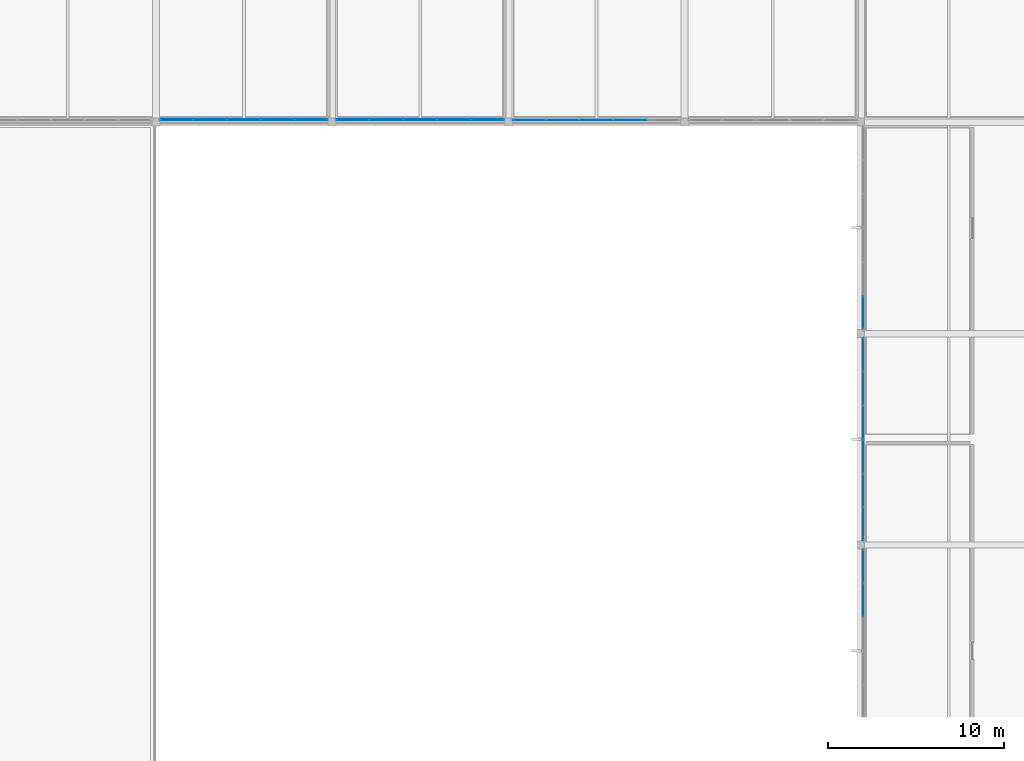
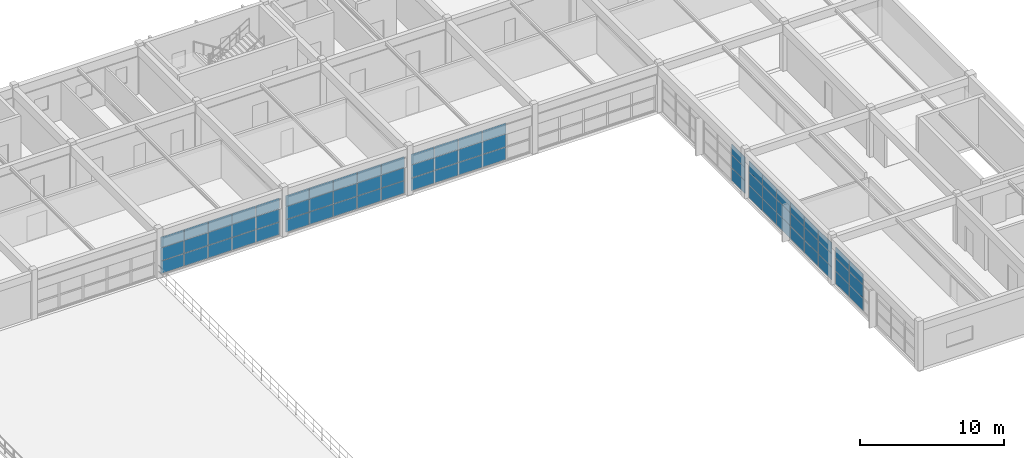
# One storey, part 11 of 21: 69 plates, 6 elements without a shape of their own.
"""IFC4 building model written with IfcOpenShell, lengths in metres."""

from ifc_helpers import new_model, si_unit, direction, frame, origin, origin_2d, place, context, subcontext, project, spatial, rectangle, extrude, material, layer, layer_set, type_object, element, aggregate, save


model = new_model("IFC4")

# Units and contexts
model_context = context("Model", 3, precision=1e-05, world=origin(), true_north=direction((0.0, 1.0)))
body_context = subcontext(model_context, "Body", "Model", "MODEL_VIEW")
ifc_project = project(units=[si_unit("LENGTHUNIT", "METRE"), si_unit("AREAUNIT", "SQUARE_METRE"), si_unit("VOLUMEUNIT", "CUBIC_METRE"), si_unit("PLANEANGLEUNIT", "RADIAN"), si_unit("MASSUNIT", "GRAM", prefix="KILO")], contexts=[model_context])

# Site, building, storey
site_placement = place(None, origin())
site = spatial("IfcSite", under=ifc_project, at=site_placement, CompositionType="ELEMENT")
building_placement = place(site_placement, origin())
building = spatial("IfcBuilding", under=site, at=building_placement, Name="Kivolera Central Railway Station", CompositionType="ELEMENT")
storey_placement = place(building_placement, frame((0.0, 0.0, 22.800048828125)))
storey = spatial("IfcBuildingStorey", under=building, at=storey_placement, Name="L05", CompositionType="ELEMENT", Elevation=22.800048828125)

# Curtain wall, plates
ifc_material_1 = material(Name="Anodised aluminium", Category="aluminium")
ifc_layer_1 = layer(ifc_material_1, 0.179931640625, Name="Anodised aluminium")
ifc_layer_set_1 = layer_set([ifc_layer_1], Name="Anodised aluminium")
curtain_wall_type_1 = type_object("IfcCurtainWallType", Name="CW-SYS-34", PredefinedType="NOTDEFINED", material=ifc_layer_set_1)
curtain_wall_1_placement = place(storey_placement, origin())
curtain_wall_1 = element("IfcCurtainWall", 1, at=curtain_wall_1_placement, inside=storey, type_object=curtain_wall_type_1, Name="L05 Curtain Wall CW-L05-CRTN-158", PredefinedType="NOTDEFINED")
ifc_material_2 = material(Name="Double low-E laminated glass", Category="glass")
ifc_layer_2 = layer(ifc_material_2, 0.02587890625, Name="Double low-E laminated glass")
ifc_layer_set_2 = layer_set([ifc_layer_2], Name="Double low-E laminated glass")
plate_type_1 = type_object("IfcPlateType", Name="CWP-GLZ-1", PredefinedType="CURTAIN_PANEL", material=ifc_layer_set_2)
plate_1_placement = place(storey_placement, frame((164.912109375, 114.135009765625, 0.0478515625), z_axis=(0.0, 0.0, 1.0), x_axis=(-1.0, 0.0, 0.0)))
plate_1 = element("IfcPlate", 2, at=plate_1_placement, type_object=plate_type_1, Name="CW-34 panel 2.1", PredefinedType="CURTAIN_PANEL", context=body_context, shape_type="SweptSolid", body=[
    extrude(rectangle(XDim=1.8759765625, YDim=0.02587890625, at=origin_2d()), origin(), (0.0, 0.0, 1.0), 1.0498046875),
])
plate_2_placement = place(storey_placement, frame((164.912109375, 114.135009765625, 1.1337890625), z_axis=(0.0, 0.0, 1.0), x_axis=(-1.0, 0.0, 0.0)))
plate_2 = element("IfcPlate", 3, at=plate_2_placement, type_object=plate_type_1, Name="CW-34 panel 2.2", PredefinedType="CURTAIN_PANEL", context=body_context, shape_type="SweptSolid", body=[
    extrude(rectangle(XDim=1.8759765625, YDim=0.02587890625, at=origin_2d()), origin(), (0.0, 0.0, 1.0), 1.079833984375),
])
plate_3_placement = place(storey_placement, frame((164.912109375, 114.135009765625, 2.24951171875), z_axis=(0.0, 0.0, 1.0), x_axis=(-1.0, 0.0, 0.0)))
plate_3 = element("IfcPlate", 4, at=plate_3_placement, type_object=plate_type_1, Name="CW-34 panel 2.3", PredefinedType="CURTAIN_PANEL", context=body_context, shape_type="SweptSolid", body=[
    extrude(rectangle(XDim=1.8759765625, YDim=0.02587890625, at=origin_2d()), origin(), (0.0, 0.0, 1.0), 0.890380859375),
])
plate_4_placement = place(storey_placement, frame((163.0, 114.135009765625, 0.0478515625), z_axis=(0.0, 0.0, 1.0), x_axis=(-1.0, 0.0, 0.0)))
plate_4 = element("IfcPlate", 5, at=plate_4_placement, type_object=plate_type_1, Name="CW-34 panel 3.1", PredefinedType="CURTAIN_PANEL", context=body_context, shape_type="SweptSolid", body=[
    extrude(rectangle(XDim=1.8759765625, YDim=0.02587890625, at=origin_2d()), origin(), (0.0, 0.0, 1.0), 1.0498046875),
])
plate_5_placement = place(storey_placement, frame((163.0, 114.135009765625, 1.1337890625), z_axis=(0.0, 0.0, 1.0), x_axis=(-1.0, 0.0, 0.0)))
plate_5 = element("IfcPlate", 6, at=plate_5_placement, type_object=plate_type_1, Name="CW-34 panel 3.2", PredefinedType="CURTAIN_PANEL", context=body_context, shape_type="SweptSolid", body=[
    extrude(rectangle(XDim=1.8759765625, YDim=0.02587890625, at=origin_2d()), origin(), (0.0, 0.0, 1.0), 1.079833984375),
])
plate_6_placement = place(storey_placement, frame((163.0, 114.135009765625, 2.24951171875), z_axis=(0.0, 0.0, 1.0), x_axis=(-1.0, 0.0, 0.0)))
plate_6 = element("IfcPlate", 7, at=plate_6_placement, type_object=plate_type_1, Name="CW-34 panel 3.3", PredefinedType="CURTAIN_PANEL", context=body_context, shape_type="SweptSolid", body=[
    extrude(rectangle(XDim=1.8759765625, YDim=0.02587890625, at=origin_2d()), origin(), (0.0, 0.0, 1.0), 0.890380859375),
])
plate_7_placement = place(storey_placement, frame((161.087890625, 114.135009765625, 0.0478515625), z_axis=(0.0, 0.0, 1.0), x_axis=(-1.0, 0.0, 0.0)))
plate_7 = element("IfcPlate", 8, at=plate_7_placement, type_object=plate_type_1, Name="CW-34 panel 4.1", PredefinedType="CURTAIN_PANEL", context=body_context, shape_type="SweptSolid", body=[
    extrude(rectangle(XDim=1.8759765625, YDim=0.02587890625, at=origin_2d()), origin(), (0.0, 0.0, 1.0), 1.0498046875),
])
plate_8_placement = place(storey_placement, frame((161.087890625, 114.135009765625, 1.1337890625), z_axis=(0.0, 0.0, 1.0), x_axis=(-1.0, 0.0, 0.0)))
plate_8 = element("IfcPlate", 9, at=plate_8_placement, type_object=plate_type_1, Name="CW-34 panel 4.2", PredefinedType="CURTAIN_PANEL", context=body_context, shape_type="SweptSolid", body=[
    extrude(rectangle(XDim=1.8759765625, YDim=0.02587890625, at=origin_2d()), origin(), (0.0, 0.0, 1.0), 1.079833984375),
])
plate_9_placement = place(storey_placement, frame((161.087890625, 114.135009765625, 2.24951171875), z_axis=(0.0, 0.0, 1.0), x_axis=(-1.0, 0.0, 0.0)))
plate_9 = element("IfcPlate", 10, at=plate_9_placement, type_object=plate_type_1, Name="CW-34 panel 4.3", PredefinedType="CURTAIN_PANEL", context=body_context, shape_type="SweptSolid", body=[
    extrude(rectangle(XDim=1.8759765625, YDim=0.02587890625, at=origin_2d()), origin(), (0.0, 0.0, 1.0), 0.890380859375),
])
plate_10_placement = place(storey_placement, frame((159.19091796875, 114.135009765625, 0.0478515625), z_axis=(0.0, 0.0, 1.0), x_axis=(-1.0, 0.0, 0.0)))
plate_10 = element("IfcPlate", 11, at=plate_10_placement, type_object=plate_type_1, Name="CW-34 panel 5.1", PredefinedType="CURTAIN_PANEL", context=body_context, shape_type="SweptSolid", body=[
    extrude(rectangle(XDim=1.845947265625, YDim=0.02587890625, at=origin_2d()), origin(), (0.0, 0.0, 1.0), 1.0498046875),
])
plate_11_placement = place(storey_placement, frame((159.19091796875, 114.135009765625, 1.1337890625), z_axis=(0.0, 0.0, 1.0), x_axis=(-1.0, 0.0, 0.0)))
plate_11 = element("IfcPlate", 12, at=plate_11_placement, type_object=plate_type_1, Name="CW-34 panel 5.2", PredefinedType="CURTAIN_PANEL", context=body_context, shape_type="SweptSolid", body=[
    extrude(rectangle(XDim=1.845947265625, YDim=0.02587890625, at=origin_2d()), origin(), (0.0, 0.0, 1.0), 1.079833984375),
])
plate_12_placement = place(storey_placement, frame((159.19091796875, 114.135009765625, 2.24951171875), z_axis=(0.0, 0.0, 1.0), x_axis=(-1.0, 0.0, 0.0)))
plate_12 = element("IfcPlate", 13, at=plate_12_placement, type_object=plate_type_1, Name="CW-34 panel 5.3", PredefinedType="CURTAIN_PANEL", context=body_context, shape_type="SweptSolid", body=[
    extrude(rectangle(XDim=1.845947265625, YDim=0.02587890625, at=origin_2d()), origin(), (0.0, 0.0, 1.0), 0.890380859375),
])
aggregate(curtain_wall_1, [plate_1, plate_2, plate_3, plate_4, plate_5, plate_6, plate_7, plate_8, plate_9, plate_10, plate_11, plate_12])

ifc_layer_3 = layer(ifc_material_1, 0.179931640625, Name="Anodised aluminium")
ifc_layer_set_3 = layer_set([ifc_layer_3], Name="Anodised aluminium")
curtain_wall_type_2 = type_object("IfcCurtainWallType", Name="CW-SYS-35", PredefinedType="NOTDEFINED", material=ifc_layer_set_3)
curtain_wall_2_placement = place(storey_placement, origin())
curtain_wall_2 = element("IfcCurtainWall", 14, at=curtain_wall_2_placement, inside=storey, type_object=curtain_wall_type_2, Name="L05 Curtain Wall CW-L05-CRTE-G", PredefinedType="NOTDEFINED")
ifc_layer_4 = layer(ifc_material_2, 0.030029296875, Name="Double low-E laminated glass")
ifc_layer_set_4 = layer_set([ifc_layer_4], Name="Double low-E laminated glass")
plate_type_2 = type_object("IfcPlateType", Name="CWP-GLZ-2", PredefinedType="CURTAIN_PANEL", material=ifc_layer_set_4)
plate_13_placement = place(storey_placement, frame((178.135009765625, 86.889892578125, 0.0478515625), z_axis=(0.0, 0.0, 1.0), x_axis=(0.0, 1.0, 0.0)))
plate_13 = element("IfcPlate", 15, at=plate_13_placement, type_object=plate_type_2, Name="CW-35 panel 5.1", PredefinedType="CURTAIN_PANEL", context=body_context, shape_type="SweptSolid", body=[
    extrude(rectangle(XDim=1.890625, YDim=0.030029296875, at=origin_2d()), origin(), (0.0, 0.0, 1.0), 1.0498046875),
])
plate_14_placement = place(storey_placement, frame((178.135009765625, 86.889892578125, 1.1337890625), z_axis=(0.0, 0.0, 1.0), x_axis=(0.0, 1.0, 0.0)))
plate_14 = element("IfcPlate", 16, at=plate_14_placement, type_object=plate_type_2, Name="CW-35 panel 5.2", PredefinedType="CURTAIN_PANEL", context=body_context, shape_type="SweptSolid", body=[
    extrude(rectangle(XDim=1.890625, YDim=0.030029296875, at=origin_2d()), origin(), (0.0, 0.0, 1.0), 1.079833984375),
])
plate_15_placement = place(storey_placement, frame((178.135009765625, 86.889892578125, 2.24951171875), z_axis=(0.0, 0.0, 1.0), x_axis=(0.0, 1.0, 0.0)))
plate_15 = element("IfcPlate", 17, at=plate_15_placement, type_object=plate_type_2, Name="CW-35 panel 5.3", PredefinedType="CURTAIN_PANEL", context=body_context, shape_type="SweptSolid", body=[
    extrude(rectangle(XDim=1.890625, YDim=0.030029296875, at=origin_2d()), origin(), (0.0, 0.0, 1.0), 0.890380859375),
])
plate_16_placement = place(storey_placement, frame((178.135009765625, 88.8017578125, 0.0478515625), z_axis=(0.0, 0.0, 1.0), x_axis=(0.0, 1.0, 0.0)))
plate_16 = element("IfcPlate", 18, at=plate_16_placement, type_object=plate_type_2, Name="CW-35 panel 6.1", PredefinedType="CURTAIN_PANEL", context=body_context, shape_type="SweptSolid", body=[
    extrude(rectangle(XDim=1.860595703125, YDim=0.030029296875, at=origin_2d()), origin(), (0.0, 0.0, 1.0), 1.0498046875),
])
plate_17_placement = place(storey_placement, frame((178.135009765625, 88.8017578125, 1.1337890625), z_axis=(0.0, 0.0, 1.0), x_axis=(0.0, 1.0, 0.0)))
plate_17 = element("IfcPlate", 19, at=plate_17_placement, type_object=plate_type_2, Name="CW-35 panel 6.2", PredefinedType="CURTAIN_PANEL", context=body_context, shape_type="SweptSolid", body=[
    extrude(rectangle(XDim=1.860595703125, YDim=0.030029296875, at=origin_2d()), origin(), (0.0, 0.0, 1.0), 1.079833984375),
])
plate_18_placement = place(storey_placement, frame((178.135009765625, 88.8017578125, 2.24951171875), z_axis=(0.0, 0.0, 1.0), x_axis=(0.0, 1.0, 0.0)))
plate_18 = element("IfcPlate", 20, at=plate_18_placement, type_object=plate_type_2, Name="CW-35 panel 6.3", PredefinedType="CURTAIN_PANEL", context=body_context, shape_type="SweptSolid", body=[
    extrude(rectangle(XDim=1.860595703125, YDim=0.030029296875, at=origin_2d()), origin(), (0.0, 0.0, 1.0), 0.890380859375),
])
aggregate(curtain_wall_2, [plate_13, plate_14, plate_15, plate_16, plate_17, plate_18])

curtain_wall_3_placement = place(storey_placement, origin())
curtain_wall_3 = element("IfcCurtainWall", 21, at=curtain_wall_3_placement, inside=storey, type_object=curtain_wall_type_2, Name="L05 Curtain Wall CW-L05-CRTE-H", PredefinedType="NOTDEFINED")
plate_19_placement = place(storey_placement, frame((178.135009765625, 91.1982421875, 0.0478515625), z_axis=(0.0, 0.0, 1.0), x_axis=(0.0, 1.0, 0.0)))
plate_19 = element("IfcPlate", 22, at=plate_19_placement, type_object=plate_type_2, Name="CW-35 panel 1.1", PredefinedType="CURTAIN_PANEL", context=body_context, shape_type="SweptSolid", body=[
    extrude(rectangle(XDim=1.860595703125, YDim=0.030029296875, at=origin_2d()), origin(), (0.0, 0.0, 1.0), 1.0498046875),
])
plate_20_placement = place(storey_placement, frame((178.135009765625, 91.1982421875, 1.1337890625), z_axis=(0.0, 0.0, 1.0), x_axis=(0.0, 1.0, 0.0)))
plate_20 = element("IfcPlate", 23, at=plate_20_placement, type_object=plate_type_2, Name="CW-35 panel 1.2", PredefinedType="CURTAIN_PANEL", context=body_context, shape_type="SweptSolid", body=[
    extrude(rectangle(XDim=1.860595703125, YDim=0.030029296875, at=origin_2d()), origin(), (0.0, 0.0, 1.0), 1.079833984375),
])
plate_21_placement = place(storey_placement, frame((178.135009765625, 91.1982421875, 2.24951171875), z_axis=(0.0, 0.0, 1.0), x_axis=(0.0, 1.0, 0.0)))
plate_21 = element("IfcPlate", 24, at=plate_21_placement, type_object=plate_type_2, Name="CW-35 panel 1.3", PredefinedType="CURTAIN_PANEL", context=body_context, shape_type="SweptSolid", body=[
    extrude(rectangle(XDim=1.860595703125, YDim=0.030029296875, at=origin_2d()), origin(), (0.0, 0.0, 1.0), 0.890380859375),
])
plate_22_placement = place(storey_placement, frame((178.135009765625, 93.110107421875, 0.0478515625), z_axis=(0.0, 0.0, 1.0), x_axis=(0.0, 1.0, 0.0)))
plate_22 = element("IfcPlate", 25, at=plate_22_placement, type_object=plate_type_2, Name="CW-35 panel 2.1", PredefinedType="CURTAIN_PANEL", context=body_context, shape_type="SweptSolid", body=[
    extrude(rectangle(XDim=1.890625, YDim=0.030029296875, at=origin_2d()), origin(), (0.0, 0.0, 1.0), 1.0498046875),
])
plate_23_placement = place(storey_placement, frame((178.135009765625, 93.110107421875, 1.1337890625), z_axis=(0.0, 0.0, 1.0), x_axis=(0.0, 1.0, 0.0)))
plate_23 = element("IfcPlate", 26, at=plate_23_placement, type_object=plate_type_2, Name="CW-35 panel 2.2", PredefinedType="CURTAIN_PANEL", context=body_context, shape_type="SweptSolid", body=[
    extrude(rectangle(XDim=1.890625, YDim=0.030029296875, at=origin_2d()), origin(), (0.0, 0.0, 1.0), 1.079833984375),
])
plate_24_placement = place(storey_placement, frame((178.135009765625, 93.110107421875, 2.24951171875), z_axis=(0.0, 0.0, 1.0), x_axis=(0.0, 1.0, 0.0)))
plate_24 = element("IfcPlate", 27, at=plate_24_placement, type_object=plate_type_2, Name="CW-35 panel 2.3", PredefinedType="CURTAIN_PANEL", context=body_context, shape_type="SweptSolid", body=[
    extrude(rectangle(XDim=1.890625, YDim=0.030029296875, at=origin_2d()), origin(), (0.0, 0.0, 1.0), 0.890380859375),
])
plate_25_placement = place(storey_placement, frame((178.135009765625, 95.03662109375, 0.0478515625), z_axis=(0.0, 0.0, 1.0), x_axis=(0.0, 1.0, 0.0)))
plate_25 = element("IfcPlate", 28, at=plate_25_placement, type_object=plate_type_2, Name="CW-35 panel 3.1", PredefinedType="CURTAIN_PANEL", context=body_context, shape_type="SweptSolid", body=[
    extrude(rectangle(XDim=1.890625, YDim=0.030029296875, at=origin_2d()), origin(), (0.0, 0.0, 1.0), 1.0498046875),
])
plate_26_placement = place(storey_placement, frame((178.135009765625, 95.03662109375, 1.1337890625), z_axis=(0.0, 0.0, 1.0), x_axis=(0.0, 1.0, 0.0)))
plate_26 = element("IfcPlate", 29, at=plate_26_placement, type_object=plate_type_2, Name="CW-35 panel 3.2", PredefinedType="CURTAIN_PANEL", context=body_context, shape_type="SweptSolid", body=[
    extrude(rectangle(XDim=1.890625, YDim=0.030029296875, at=origin_2d()), origin(), (0.0, 0.0, 1.0), 1.079833984375),
])
plate_27_placement = place(storey_placement, frame((178.135009765625, 95.03662109375, 2.24951171875), z_axis=(0.0, 0.0, 1.0), x_axis=(0.0, 1.0, 0.0)))
plate_27 = element("IfcPlate", 30, at=plate_27_placement, type_object=plate_type_2, Name="CW-35 panel 3.3", PredefinedType="CURTAIN_PANEL", context=body_context, shape_type="SweptSolid", body=[
    extrude(rectangle(XDim=1.890625, YDim=0.030029296875, at=origin_2d()), origin(), (0.0, 0.0, 1.0), 0.890380859375),
])
plate_28_placement = place(storey_placement, frame((178.135009765625, 96.96337890625, 0.0478515625), z_axis=(0.0, 0.0, 1.0), x_axis=(0.0, 1.0, 0.0)))
plate_28 = element("IfcPlate", 31, at=plate_28_placement, type_object=plate_type_2, Name="CW-35 panel 4.1", PredefinedType="CURTAIN_PANEL", context=body_context, shape_type="SweptSolid", body=[
    extrude(rectangle(XDim=1.890625, YDim=0.030029296875, at=origin_2d()), origin(), (0.0, 0.0, 1.0), 1.0498046875),
])
plate_29_placement = place(storey_placement, frame((178.135009765625, 96.96337890625, 1.1337890625), z_axis=(0.0, 0.0, 1.0), x_axis=(0.0, 1.0, 0.0)))
plate_29 = element("IfcPlate", 32, at=plate_29_placement, type_object=plate_type_2, Name="CW-35 panel 4.2", PredefinedType="CURTAIN_PANEL", context=body_context, shape_type="SweptSolid", body=[
    extrude(rectangle(XDim=1.890625, YDim=0.030029296875, at=origin_2d()), origin(), (0.0, 0.0, 1.0), 1.079833984375),
])
plate_30_placement = place(storey_placement, frame((178.135009765625, 96.96337890625, 2.24951171875), z_axis=(0.0, 0.0, 1.0), x_axis=(0.0, 1.0, 0.0)))
plate_30 = element("IfcPlate", 33, at=plate_30_placement, type_object=plate_type_2, Name="CW-35 panel 4.3", PredefinedType="CURTAIN_PANEL", context=body_context, shape_type="SweptSolid", body=[
    extrude(rectangle(XDim=1.890625, YDim=0.030029296875, at=origin_2d()), origin(), (0.0, 0.0, 1.0), 0.890380859375),
])
plate_31_placement = place(storey_placement, frame((178.135009765625, 98.889892578125, 0.0478515625), z_axis=(0.0, 0.0, 1.0), x_axis=(0.0, 1.0, 0.0)))
plate_31 = element("IfcPlate", 34, at=plate_31_placement, type_object=plate_type_2, Name="CW-35 panel 5.1", PredefinedType="CURTAIN_PANEL", context=body_context, shape_type="SweptSolid", body=[
    extrude(rectangle(XDim=1.890625, YDim=0.030029296875, at=origin_2d()), origin(), (0.0, 0.0, 1.0), 1.0498046875),
])
plate_32_placement = place(storey_placement, frame((178.135009765625, 98.889892578125, 1.1337890625), z_axis=(0.0, 0.0, 1.0), x_axis=(0.0, 1.0, 0.0)))
plate_32 = element("IfcPlate", 35, at=plate_32_placement, type_object=plate_type_2, Name="CW-35 panel 5.2", PredefinedType="CURTAIN_PANEL", context=body_context, shape_type="SweptSolid", body=[
    extrude(rectangle(XDim=1.890625, YDim=0.030029296875, at=origin_2d()), origin(), (0.0, 0.0, 1.0), 1.079833984375),
])
plate_33_placement = place(storey_placement, frame((178.135009765625, 98.889892578125, 2.24951171875), z_axis=(0.0, 0.0, 1.0), x_axis=(0.0, 1.0, 0.0)))
plate_33 = element("IfcPlate", 36, at=plate_33_placement, type_object=plate_type_2, Name="CW-35 panel 5.3", PredefinedType="CURTAIN_PANEL", context=body_context, shape_type="SweptSolid", body=[
    extrude(rectangle(XDim=1.890625, YDim=0.030029296875, at=origin_2d()), origin(), (0.0, 0.0, 1.0), 0.890380859375),
])
plate_34_placement = place(storey_placement, frame((178.135009765625, 100.8017578125, 0.0478515625), z_axis=(0.0, 0.0, 1.0), x_axis=(0.0, 1.0, 0.0)))
plate_34 = element("IfcPlate", 37, at=plate_34_placement, type_object=plate_type_2, Name="CW-35 panel 6.1", PredefinedType="CURTAIN_PANEL", context=body_context, shape_type="SweptSolid", body=[
    extrude(rectangle(XDim=1.860595703125, YDim=0.030029296875, at=origin_2d()), origin(), (0.0, 0.0, 1.0), 1.0498046875),
])
plate_35_placement = place(storey_placement, frame((178.135009765625, 100.8017578125, 1.1337890625), z_axis=(0.0, 0.0, 1.0), x_axis=(0.0, 1.0, 0.0)))
plate_35 = element("IfcPlate", 38, at=plate_35_placement, type_object=plate_type_2, Name="CW-35 panel 6.2", PredefinedType="CURTAIN_PANEL", context=body_context, shape_type="SweptSolid", body=[
    extrude(rectangle(XDim=1.860595703125, YDim=0.030029296875, at=origin_2d()), origin(), (0.0, 0.0, 1.0), 1.079833984375),
])
plate_36_placement = place(storey_placement, frame((178.135009765625, 100.8017578125, 2.24951171875), z_axis=(0.0, 0.0, 1.0), x_axis=(0.0, 1.0, 0.0)))
plate_36 = element("IfcPlate", 39, at=plate_36_placement, type_object=plate_type_2, Name="CW-35 panel 6.3", PredefinedType="CURTAIN_PANEL", context=body_context, shape_type="SweptSolid", body=[
    extrude(rectangle(XDim=1.860595703125, YDim=0.030029296875, at=origin_2d()), origin(), (0.0, 0.0, 1.0), 0.890380859375),
])
aggregate(curtain_wall_3, [plate_19, plate_20, plate_21, plate_22, plate_23, plate_24, plate_25, plate_26, plate_27, plate_28, plate_29, plate_30, plate_31, plate_32, plate_33, plate_34, plate_35, plate_36])

curtain_wall_4_placement = place(storey_placement, origin())
curtain_wall_4 = element("IfcCurtainWall", 40, at=curtain_wall_4_placement, inside=storey, type_object=curtain_wall_type_2, Name="L05 Curtain Wall CW-L05-CRTE-J", PredefinedType="NOTDEFINED")
plate_37_placement = place(storey_placement, frame((178.135009765625, 103.1982421875, 0.0478515625), z_axis=(0.0, 0.0, 1.0), x_axis=(0.0, 1.0, 0.0)))
plate_37 = element("IfcPlate", 41, at=plate_37_placement, type_object=plate_type_2, Name="CW-35 panel 1.1", PredefinedType="CURTAIN_PANEL", context=body_context, shape_type="SweptSolid", body=[
    extrude(rectangle(XDim=1.860595703125, YDim=0.030029296875, at=origin_2d()), origin(), (0.0, 0.0, 1.0), 1.0498046875),
])
plate_38_placement = place(storey_placement, frame((178.135009765625, 103.1982421875, 1.1337890625), z_axis=(0.0, 0.0, 1.0), x_axis=(0.0, 1.0, 0.0)))
plate_38 = element("IfcPlate", 42, at=plate_38_placement, type_object=plate_type_2, Name="CW-35 panel 1.2", PredefinedType="CURTAIN_PANEL", context=body_context, shape_type="SweptSolid", body=[
    extrude(rectangle(XDim=1.860595703125, YDim=0.030029296875, at=origin_2d()), origin(), (0.0, 0.0, 1.0), 1.079833984375),
])
plate_39_placement = place(storey_placement, frame((178.135009765625, 103.1982421875, 2.24951171875), z_axis=(0.0, 0.0, 1.0), x_axis=(0.0, 1.0, 0.0)))
plate_39 = element("IfcPlate", 43, at=plate_39_placement, type_object=plate_type_2, Name="CW-35 panel 1.3", PredefinedType="CURTAIN_PANEL", context=body_context, shape_type="SweptSolid", body=[
    extrude(rectangle(XDim=1.860595703125, YDim=0.030029296875, at=origin_2d()), origin(), (0.0, 0.0, 1.0), 0.890380859375),
])
aggregate(curtain_wall_4, [plate_37, plate_38, plate_39])

curtain_wall_5_placement = place(storey_placement, origin())
curtain_wall_5 = element("IfcCurtainWall", 44, at=curtain_wall_5_placement, inside=storey, type_object=curtain_wall_type_1, Name="L05 Curtain Wall CW-L05-CRTN-138", PredefinedType="NOTDEFINED")
ifc_layer_5 = layer(ifc_material_2, 0.0380859375, Name="Double low-E laminated glass")
ifc_layer_set_5 = layer_set([ifc_layer_5], Name="Double low-E laminated glass")
plate_type_3 = type_object("IfcPlateType", Name="CWP-GLZ-4", PredefinedType="CURTAIN_PANEL", material=ifc_layer_set_5)
plate_40_placement = place(storey_placement, frame((146.80908203125, 114.135009765625, 0.0478515625), z_axis=(0.0, 0.0, 1.0), x_axis=(-1.0, 0.0, 0.0)))
plate_40 = element("IfcPlate", 45, at=plate_40_placement, type_object=plate_type_3, Name="CW-34 panel 1.1", PredefinedType="CURTAIN_PANEL", context=body_context, shape_type="SweptSolid", body=[
    extrude(rectangle(XDim=1.845947265625, YDim=0.0380859375, at=origin_2d()), origin(), (0.0, 0.0, 1.0), 1.0498046875),
])
plate_41_placement = place(storey_placement, frame((146.80908203125, 114.135009765625, 1.1337890625), z_axis=(0.0, 0.0, 1.0), x_axis=(-1.0, 0.0, 0.0)))
plate_41 = element("IfcPlate", 46, at=plate_41_placement, type_object=plate_type_3, Name="CW-34 panel 1.2", PredefinedType="CURTAIN_PANEL", context=body_context, shape_type="SweptSolid", body=[
    extrude(rectangle(XDim=1.845947265625, YDim=0.0380859375, at=origin_2d()), origin(), (0.0, 0.0, 1.0), 1.079833984375),
])
plate_42_placement = place(storey_placement, frame((146.80908203125, 114.135009765625, 2.24951171875), z_axis=(0.0, 0.0, 1.0), x_axis=(-1.0, 0.0, 0.0)))
plate_42 = element("IfcPlate", 47, at=plate_42_placement, type_object=plate_type_3, Name="CW-34 panel 1.3", PredefinedType="CURTAIN_PANEL", context=body_context, shape_type="SweptSolid", body=[
    extrude(rectangle(XDim=1.845947265625, YDim=0.0380859375, at=origin_2d()), origin(), (0.0, 0.0, 1.0), 0.890380859375),
])
plate_43_placement = place(storey_placement, frame((144.912109375, 114.135009765625, 0.0478515625), z_axis=(0.0, 0.0, 1.0), x_axis=(-1.0, 0.0, 0.0)))
plate_43 = element("IfcPlate", 48, at=plate_43_placement, type_object=plate_type_3, Name="CW-34 panel 2.1", PredefinedType="CURTAIN_PANEL", context=body_context, shape_type="SweptSolid", body=[
    extrude(rectangle(XDim=1.8759765625, YDim=0.0380859375, at=origin_2d()), origin(), (0.0, 0.0, 1.0), 1.0498046875),
])
plate_44_placement = place(storey_placement, frame((144.912109375, 114.135009765625, 1.1337890625), z_axis=(0.0, 0.0, 1.0), x_axis=(-1.0, 0.0, 0.0)))
plate_44 = element("IfcPlate", 49, at=plate_44_placement, type_object=plate_type_3, Name="CW-34 panel 2.2", PredefinedType="CURTAIN_PANEL", context=body_context, shape_type="SweptSolid", body=[
    extrude(rectangle(XDim=1.8759765625, YDim=0.0380859375, at=origin_2d()), origin(), (0.0, 0.0, 1.0), 1.079833984375),
])
plate_45_placement = place(storey_placement, frame((144.912109375, 114.135009765625, 2.24951171875), z_axis=(0.0, 0.0, 1.0), x_axis=(-1.0, 0.0, 0.0)))
plate_45 = element("IfcPlate", 50, at=plate_45_placement, type_object=plate_type_3, Name="CW-34 panel 2.3", PredefinedType="CURTAIN_PANEL", context=body_context, shape_type="SweptSolid", body=[
    extrude(rectangle(XDim=1.8759765625, YDim=0.0380859375, at=origin_2d()), origin(), (0.0, 0.0, 1.0), 0.890380859375),
])
plate_46_placement = place(storey_placement, frame((143.0, 114.135009765625, 0.0478515625), z_axis=(0.0, 0.0, 1.0), x_axis=(-1.0, 0.0, 0.0)))
plate_46 = element("IfcPlate", 51, at=plate_46_placement, type_object=plate_type_3, Name="CW-34 panel 3.1", PredefinedType="CURTAIN_PANEL", context=body_context, shape_type="SweptSolid", body=[
    extrude(rectangle(XDim=1.8759765625, YDim=0.0380859375, at=origin_2d()), origin(), (0.0, 0.0, 1.0), 1.0498046875),
])
plate_47_placement = place(storey_placement, frame((143.0, 114.135009765625, 1.1337890625), z_axis=(0.0, 0.0, 1.0), x_axis=(-1.0, 0.0, 0.0)))
plate_47 = element("IfcPlate", 52, at=plate_47_placement, type_object=plate_type_3, Name="CW-34 panel 3.2", PredefinedType="CURTAIN_PANEL", context=body_context, shape_type="SweptSolid", body=[
    extrude(rectangle(XDim=1.8759765625, YDim=0.0380859375, at=origin_2d()), origin(), (0.0, 0.0, 1.0), 1.079833984375),
])
plate_48_placement = place(storey_placement, frame((143.0, 114.135009765625, 2.24951171875), z_axis=(0.0, 0.0, 1.0), x_axis=(-1.0, 0.0, 0.0)))
plate_48 = element("IfcPlate", 53, at=plate_48_placement, type_object=plate_type_3, Name="CW-34 panel 3.3", PredefinedType="CURTAIN_PANEL", context=body_context, shape_type="SweptSolid", body=[
    extrude(rectangle(XDim=1.8759765625, YDim=0.0380859375, at=origin_2d()), origin(), (0.0, 0.0, 1.0), 0.890380859375),
])
plate_49_placement = place(storey_placement, frame((141.087890625, 114.135009765625, 0.0478515625), z_axis=(0.0, 0.0, 1.0), x_axis=(-1.0, 0.0, 0.0)))
plate_49 = element("IfcPlate", 54, at=plate_49_placement, type_object=plate_type_3, Name="CW-34 panel 4.1", PredefinedType="CURTAIN_PANEL", context=body_context, shape_type="SweptSolid", body=[
    extrude(rectangle(XDim=1.8759765625, YDim=0.0380859375, at=origin_2d()), origin(), (0.0, 0.0, 1.0), 1.0498046875),
])
plate_50_placement = place(storey_placement, frame((141.087890625, 114.135009765625, 1.1337890625), z_axis=(0.0, 0.0, 1.0), x_axis=(-1.0, 0.0, 0.0)))
plate_50 = element("IfcPlate", 55, at=plate_50_placement, type_object=plate_type_3, Name="CW-34 panel 4.2", PredefinedType="CURTAIN_PANEL", context=body_context, shape_type="SweptSolid", body=[
    extrude(rectangle(XDim=1.8759765625, YDim=0.0380859375, at=origin_2d()), origin(), (0.0, 0.0, 1.0), 1.079833984375),
])
plate_51_placement = place(storey_placement, frame((141.087890625, 114.135009765625, 2.24951171875), z_axis=(0.0, 0.0, 1.0), x_axis=(-1.0, 0.0, 0.0)))
plate_51 = element("IfcPlate", 56, at=plate_51_placement, type_object=plate_type_3, Name="CW-34 panel 4.3", PredefinedType="CURTAIN_PANEL", context=body_context, shape_type="SweptSolid", body=[
    extrude(rectangle(XDim=1.8759765625, YDim=0.0380859375, at=origin_2d()), origin(), (0.0, 0.0, 1.0), 0.890380859375),
])
plate_52_placement = place(storey_placement, frame((139.19091796875, 114.135009765625, 0.0478515625), z_axis=(0.0, 0.0, 1.0), x_axis=(-1.0, 0.0, 0.0)))
plate_52 = element("IfcPlate", 57, at=plate_52_placement, type_object=plate_type_3, Name="CW-34 panel 5.1", PredefinedType="CURTAIN_PANEL", context=body_context, shape_type="SweptSolid", body=[
    extrude(rectangle(XDim=1.845947265625, YDim=0.0380859375, at=origin_2d()), origin(), (0.0, 0.0, 1.0), 1.0498046875),
])
plate_53_placement = place(storey_placement, frame((139.19091796875, 114.135009765625, 1.1337890625), z_axis=(0.0, 0.0, 1.0), x_axis=(-1.0, 0.0, 0.0)))
plate_53 = element("IfcPlate", 58, at=plate_53_placement, type_object=plate_type_3, Name="CW-34 panel 5.2", PredefinedType="CURTAIN_PANEL", context=body_context, shape_type="SweptSolid", body=[
    extrude(rectangle(XDim=1.845947265625, YDim=0.0380859375, at=origin_2d()), origin(), (0.0, 0.0, 1.0), 1.079833984375),
])
plate_54_placement = place(storey_placement, frame((139.19091796875, 114.135009765625, 2.24951171875), z_axis=(0.0, 0.0, 1.0), x_axis=(-1.0, 0.0, 0.0)))
plate_54 = element("IfcPlate", 59, at=plate_54_placement, type_object=plate_type_3, Name="CW-34 panel 5.3", PredefinedType="CURTAIN_PANEL", context=body_context, shape_type="SweptSolid", body=[
    extrude(rectangle(XDim=1.845947265625, YDim=0.0380859375, at=origin_2d()), origin(), (0.0, 0.0, 1.0), 0.890380859375),
])
aggregate(curtain_wall_5, [plate_40, plate_41, plate_42, plate_43, plate_44, plate_45, plate_46, plate_47, plate_48, plate_49, plate_50, plate_51, plate_52, plate_53, plate_54])

curtain_wall_6_placement = place(storey_placement, origin())
curtain_wall_6 = element("IfcCurtainWall", 60, at=curtain_wall_6_placement, inside=storey, type_object=curtain_wall_type_1, Name="L05 Curtain Wall CW-L05-CRTN-148", PredefinedType="NOTDEFINED")
ifc_layer_6 = layer(ifc_material_2, 0.0419921875, Name="Double low-E laminated glass")
ifc_layer_set_6 = layer_set([ifc_layer_6], Name="Double low-E laminated glass")
plate_type_4 = type_object("IfcPlateType", Name="CWP-GLZ-5", PredefinedType="CURTAIN_PANEL", material=ifc_layer_set_6)
plate_55_placement = place(storey_placement, frame((156.80908203125, 114.135009765625, 0.0478515625), z_axis=(0.0, 0.0, 1.0), x_axis=(-1.0, 0.0, 0.0)))
plate_55 = element("IfcPlate", 61, at=plate_55_placement, type_object=plate_type_4, Name="CW-34 panel 1.1", PredefinedType="CURTAIN_PANEL", context=body_context, shape_type="SweptSolid", body=[
    extrude(rectangle(XDim=1.845947265625, YDim=0.0419921875, at=origin_2d()), origin(), (0.0, 0.0, 1.0), 1.0498046875),
])
plate_56_placement = place(storey_placement, frame((156.80908203125, 114.135009765625, 1.1337890625), z_axis=(0.0, 0.0, 1.0), x_axis=(-1.0, 0.0, 0.0)))
plate_56 = element("IfcPlate", 62, at=plate_56_placement, type_object=plate_type_4, Name="CW-34 panel 1.2", PredefinedType="CURTAIN_PANEL", context=body_context, shape_type="SweptSolid", body=[
    extrude(rectangle(XDim=1.845947265625, YDim=0.0419921875, at=origin_2d()), origin(), (0.0, 0.0, 1.0), 1.079833984375),
])
plate_57_placement = place(storey_placement, frame((156.80908203125, 114.135009765625, 2.24951171875), z_axis=(0.0, 0.0, 1.0), x_axis=(-1.0, 0.0, 0.0)))
plate_57 = element("IfcPlate", 63, at=plate_57_placement, type_object=plate_type_4, Name="CW-34 panel 1.3", PredefinedType="CURTAIN_PANEL", context=body_context, shape_type="SweptSolid", body=[
    extrude(rectangle(XDim=1.845947265625, YDim=0.0419921875, at=origin_2d()), origin(), (0.0, 0.0, 1.0), 0.890380859375),
])
plate_58_placement = place(storey_placement, frame((154.912109375, 114.135009765625, 0.0478515625), z_axis=(0.0, 0.0, 1.0), x_axis=(-1.0, 0.0, 0.0)))
plate_58 = element("IfcPlate", 64, at=plate_58_placement, type_object=plate_type_4, Name="CW-34 panel 2.1", PredefinedType="CURTAIN_PANEL", context=body_context, shape_type="SweptSolid", body=[
    extrude(rectangle(XDim=1.8759765625, YDim=0.0419921875, at=origin_2d()), origin(), (0.0, 0.0, 1.0), 1.0498046875),
])
plate_59_placement = place(storey_placement, frame((154.912109375, 114.135009765625, 1.1337890625), z_axis=(0.0, 0.0, 1.0), x_axis=(-1.0, 0.0, 0.0)))
plate_59 = element("IfcPlate", 65, at=plate_59_placement, type_object=plate_type_4, Name="CW-34 panel 2.2", PredefinedType="CURTAIN_PANEL", context=body_context, shape_type="SweptSolid", body=[
    extrude(rectangle(XDim=1.8759765625, YDim=0.0419921875, at=origin_2d()), origin(), (0.0, 0.0, 1.0), 1.079833984375),
])
plate_60_placement = place(storey_placement, frame((154.912109375, 114.135009765625, 2.24951171875), z_axis=(0.0, 0.0, 1.0), x_axis=(-1.0, 0.0, 0.0)))
plate_60 = element("IfcPlate", 66, at=plate_60_placement, type_object=plate_type_4, Name="CW-34 panel 2.3", PredefinedType="CURTAIN_PANEL", context=body_context, shape_type="SweptSolid", body=[
    extrude(rectangle(XDim=1.8759765625, YDim=0.0419921875, at=origin_2d()), origin(), (0.0, 0.0, 1.0), 0.890380859375),
])
plate_61_placement = place(storey_placement, frame((153.0, 114.135009765625, 0.0478515625), z_axis=(0.0, 0.0, 1.0), x_axis=(-1.0, 0.0, 0.0)))
plate_61 = element("IfcPlate", 67, at=plate_61_placement, type_object=plate_type_4, Name="CW-34 panel 3.1", PredefinedType="CURTAIN_PANEL", context=body_context, shape_type="SweptSolid", body=[
    extrude(rectangle(XDim=1.8759765625, YDim=0.0419921875, at=origin_2d()), origin(), (0.0, 0.0, 1.0), 1.0498046875),
])
plate_62_placement = place(storey_placement, frame((153.0, 114.135009765625, 1.1337890625), z_axis=(0.0, 0.0, 1.0), x_axis=(-1.0, 0.0, 0.0)))
plate_62 = element("IfcPlate", 68, at=plate_62_placement, type_object=plate_type_4, Name="CW-34 panel 3.2", PredefinedType="CURTAIN_PANEL", context=body_context, shape_type="SweptSolid", body=[
    extrude(rectangle(XDim=1.8759765625, YDim=0.0419921875, at=origin_2d()), origin(), (0.0, 0.0, 1.0), 1.079833984375),
])
plate_63_placement = place(storey_placement, frame((153.0, 114.135009765625, 2.24951171875), z_axis=(0.0, 0.0, 1.0), x_axis=(-1.0, 0.0, 0.0)))
plate_63 = element("IfcPlate", 69, at=plate_63_placement, type_object=plate_type_4, Name="CW-34 panel 3.3", PredefinedType="CURTAIN_PANEL", context=body_context, shape_type="SweptSolid", body=[
    extrude(rectangle(XDim=1.8759765625, YDim=0.0419921875, at=origin_2d()), origin(), (0.0, 0.0, 1.0), 0.890380859375),
])
plate_64_placement = place(storey_placement, frame((151.087890625, 114.135009765625, 0.0478515625), z_axis=(0.0, 0.0, 1.0), x_axis=(-1.0, 0.0, 0.0)))
plate_64 = element("IfcPlate", 70, at=plate_64_placement, type_object=plate_type_4, Name="CW-34 panel 4.1", PredefinedType="CURTAIN_PANEL", context=body_context, shape_type="SweptSolid", body=[
    extrude(rectangle(XDim=1.8759765625, YDim=0.0419921875, at=origin_2d()), origin(), (0.0, 0.0, 1.0), 1.0498046875),
])
plate_65_placement = place(storey_placement, frame((151.087890625, 114.135009765625, 1.1337890625), z_axis=(0.0, 0.0, 1.0), x_axis=(-1.0, 0.0, 0.0)))
plate_65 = element("IfcPlate", 71, at=plate_65_placement, type_object=plate_type_4, Name="CW-34 panel 4.2", PredefinedType="CURTAIN_PANEL", context=body_context, shape_type="SweptSolid", body=[
    extrude(rectangle(XDim=1.8759765625, YDim=0.0419921875, at=origin_2d()), origin(), (0.0, 0.0, 1.0), 1.079833984375),
])
plate_66_placement = place(storey_placement, frame((151.087890625, 114.135009765625, 2.24951171875), z_axis=(0.0, 0.0, 1.0), x_axis=(-1.0, 0.0, 0.0)))
plate_66 = element("IfcPlate", 72, at=plate_66_placement, type_object=plate_type_4, Name="CW-34 panel 4.3", PredefinedType="CURTAIN_PANEL", context=body_context, shape_type="SweptSolid", body=[
    extrude(rectangle(XDim=1.8759765625, YDim=0.0419921875, at=origin_2d()), origin(), (0.0, 0.0, 1.0), 0.890380859375),
])
plate_67_placement = place(storey_placement, frame((149.19091796875, 114.135009765625, 0.0478515625), z_axis=(0.0, 0.0, 1.0), x_axis=(-1.0, 0.0, 0.0)))
plate_67 = element("IfcPlate", 73, at=plate_67_placement, type_object=plate_type_4, Name="CW-34 panel 5.1", PredefinedType="CURTAIN_PANEL", context=body_context, shape_type="SweptSolid", body=[
    extrude(rectangle(XDim=1.845947265625, YDim=0.0419921875, at=origin_2d()), origin(), (0.0, 0.0, 1.0), 1.0498046875),
])
plate_68_placement = place(storey_placement, frame((149.19091796875, 114.135009765625, 1.1337890625), z_axis=(0.0, 0.0, 1.0), x_axis=(-1.0, 0.0, 0.0)))
plate_68 = element("IfcPlate", 74, at=plate_68_placement, type_object=plate_type_4, Name="CW-34 panel 5.2", PredefinedType="CURTAIN_PANEL", context=body_context, shape_type="SweptSolid", body=[
    extrude(rectangle(XDim=1.845947265625, YDim=0.0419921875, at=origin_2d()), origin(), (0.0, 0.0, 1.0), 1.079833984375),
])
plate_69_placement = place(storey_placement, frame((149.19091796875, 114.135009765625, 2.24951171875), z_axis=(0.0, 0.0, 1.0), x_axis=(-1.0, 0.0, 0.0)))
plate_69 = element("IfcPlate", 75, at=plate_69_placement, type_object=plate_type_4, Name="CW-34 panel 5.3", PredefinedType="CURTAIN_PANEL", context=body_context, shape_type="SweptSolid", body=[
    extrude(rectangle(XDim=1.845947265625, YDim=0.0419921875, at=origin_2d()), origin(), (0.0, 0.0, 1.0), 0.890380859375),
])
aggregate(curtain_wall_6, [plate_55, plate_56, plate_57, plate_58, plate_59, plate_60, plate_61, plate_62, plate_63, plate_64, plate_65, plate_66, plate_67, plate_68, plate_69])

save(model, "model.ifc")
